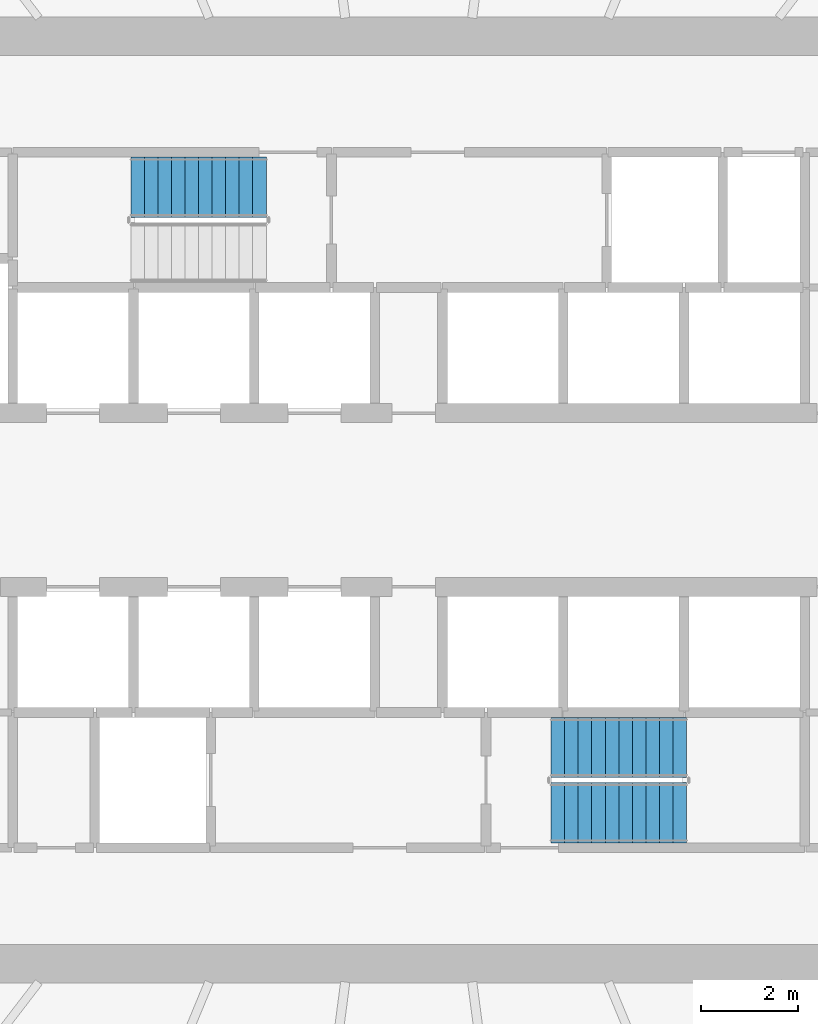
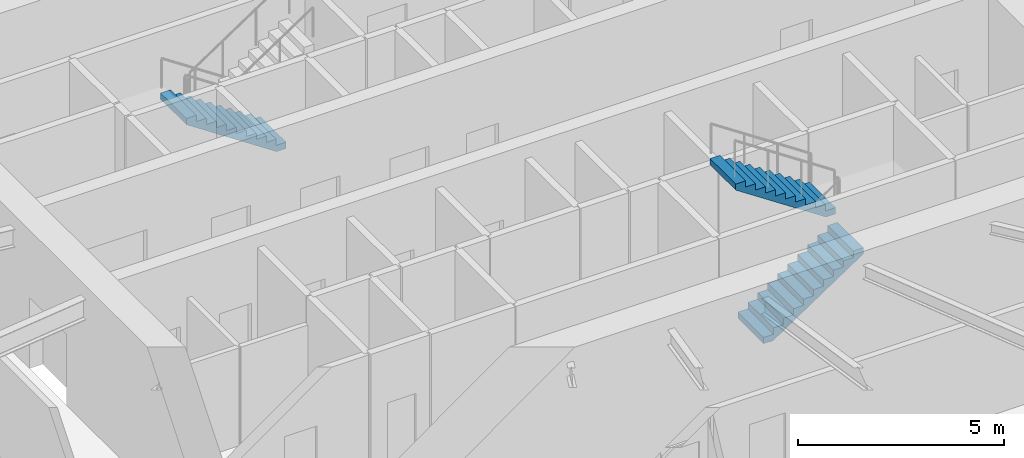
# One storey, part 18 of 21: 3 stair flights, 2 elements without a shape of their own.
"""IFC4 building model written with IfcOpenShell, lengths in metres."""

from ifc_helpers import new_model, si_unit, direction, frame, origin, place, context, subcontext, project, spatial, line, indexed_curve, outline, extrude, material, type_object, element, aggregate, save


model = new_model("IFC4")

# Units and contexts
model_context = context("Model", 3, precision=1e-05, world=origin(), true_north=direction((0.0, 1.0)))
body_context = subcontext(model_context, "Body", "Model", "MODEL_VIEW")
ifc_project = project(units=[si_unit("LENGTHUNIT", "METRE"), si_unit("AREAUNIT", "SQUARE_METRE"), si_unit("VOLUMEUNIT", "CUBIC_METRE"), si_unit("PLANEANGLEUNIT", "RADIAN"), si_unit("MASSUNIT", "GRAM", prefix="KILO")], contexts=[model_context])

# Site, building, storey
site_placement = place(None, origin())
site = spatial("IfcSite", under=ifc_project, at=site_placement, CompositionType="ELEMENT")
building_placement = place(site_placement, origin())
building = spatial("IfcBuilding", under=site, at=building_placement, Name="Spindrift Exchange Tower", CompositionType="ELEMENT")
storey_placement = place(building_placement, frame((0.0, 0.0, 83.89990234375)))
storey = spatial("IfcBuildingStorey", under=building, at=storey_placement, Name="L19", CompositionType="ELEMENT", Elevation=83.89990234375)

# Stair, stair flight
ifc_material = material(Name="Concrete 50 MPa", Category="concrete")
stair_type = type_object("IfcStairType", Name="ST-1250-R186", PredefinedType="HALF_TURN_STAIR", material=ifc_material)
stair_1_placement = place(storey_placement, origin())
stair_1 = element("IfcStair", 1, at=stair_1_placement, inside=storey, type_object=stair_type, Name="L19 Exit stair ST1", PredefinedType="HALF_TURN_STAIR")
stair_flight_type = type_object("IfcStairFlightType", Name="STF-1250-R186", PredefinedType="STRAIGHT", material=ifc_material)
stair_flight_1_placement = place(storey_placement, frame((49.050048828125, 54.47509765625, 0.0), z_axis=(0.0, 0.0, 1.0), x_axis=(-1.0, 0.0, 0.0)))
stair_flight_1 = element("IfcStairFlight", 2, at=stair_flight_1_placement, type_object=stair_flight_type, Name="ST1 flight 1", NumberOfRisers=11, NumberOfTreads=10, PredefinedType="STRAIGHT", RiserHeight=0.186363636, TreadLength=0.28, context=body_context, shape_type="SweptSolid", body=[
    extrude(outline(indexed_curve([(0.0, 0.0), (0.0, 0.1865234375), (0.2802734375, 0.1865234375), (0.2802734375, 0.373046875), (0.5595703125, 0.373046875), (0.5595703125, 0.5595703125), (0.83984375, 0.5595703125), (0.83984375, 0.7451171875), (1.1201171875, 0.7451171875), (1.1201171875, 0.931640625), (1.400390625, 0.931640625), (1.400390625, 1.1181640625), (1.6796875, 1.1181640625), (1.6796875, 1.3046875), (1.9599609375, 1.3046875), (1.9599609375, 1.4912109375), (2.240234375, 1.4912109375), (2.240234375, 1.677734375), (2.51953125, 1.677734375), (2.51953125, 1.86328125), (2.7998046875, 1.86328125), (2.7998046875, 2.0498046875), (2.7998046875, 1.68359375), (0.2705078125, 0.0)], segments=[line(1, 2, 3, 4, 5, 6, 7, 8, 9, 10, 11, 12, 13, 14, 15, 16, 17, 18, 19, 20, 21, 22, 23, 24, 1)], self_intersect=False)), frame((0.0, 0.625, 0.0), z_axis=(0.0, -1.0, 0.0), x_axis=(1.0, 0.0, 0.0)), (0.0, 0.0, 1.0), 1.25),
])
aggregate(stair_1, [stair_flight_1])

# Stair, stair flights
stair_2_placement = place(storey_placement, origin())
stair_2 = element("IfcStair", 3, at=stair_2_placement, inside=storey, type_object=stair_type, Name="L19 Exit stair ST2", PredefinedType="HALF_TURN_STAIR")
stair_flight_2_placement = place(storey_placement, frame((54.949951171875, 41.52490234375, 0.0), z_axis=(0.0, 0.0, 1.0), x_axis=(1.0, 0.0, 0.0)))
stair_flight_2 = element("IfcStairFlight", 4, at=stair_flight_2_placement, type_object=stair_flight_type, Name="ST2 flight 1", NumberOfRisers=11, NumberOfTreads=10, PredefinedType="STRAIGHT", RiserHeight=0.186363636, TreadLength=0.28, context=body_context, shape_type="SweptSolid", body=[
    extrude(outline(indexed_curve([(0.0, 0.0), (0.0, 0.1865234375), (0.2802734375, 0.1865234375), (0.2802734375, 0.373046875), (0.5595703125, 0.373046875), (0.5595703125, 0.5595703125), (0.83984375, 0.5595703125), (0.83984375, 0.7451171875), (1.1201171875, 0.7451171875), (1.1201171875, 0.931640625), (1.400390625, 0.931640625), (1.400390625, 1.1181640625), (1.6796875, 1.1181640625), (1.6796875, 1.3046875), (1.9599609375, 1.3046875), (1.9599609375, 1.4912109375), (2.240234375, 1.4912109375), (2.240234375, 1.677734375), (2.51953125, 1.677734375), (2.51953125, 1.86328125), (2.7998046875, 1.86328125), (2.7998046875, 2.0498046875), (2.7998046875, 1.68359375), (0.2705078125, 0.0)], segments=[line(1, 2, 3, 4, 5, 6, 7, 8, 9, 10, 11, 12, 13, 14, 15, 16, 17, 18, 19, 20, 21, 22, 23, 24, 1)], self_intersect=False)), frame((0.0, 0.625, 0.0), z_axis=(0.0, -1.0, 0.0), x_axis=(1.0, 0.0, 0.0)), (0.0, 0.0, 1.0), 1.25),
])
stair_flight_3_placement = place(storey_placement, frame((57.75, 42.875, 2.050048828125), z_axis=(0.0, 0.0, 1.0), x_axis=(-1.0, 0.0, 0.0)))
stair_flight_3 = element("IfcStairFlight", 5, at=stair_flight_3_placement, type_object=stair_flight_type, Name="ST2 flight 2", NumberOfRisers=11, NumberOfTreads=10, PredefinedType="STRAIGHT", RiserHeight=0.186363636, TreadLength=0.28, context=body_context, shape_type="SweptSolid", body=[
    extrude(outline(indexed_curve([(0.0, 0.0), (0.0, 0.1865234375), (0.2802734375, 0.1865234375), (0.2802734375, 0.373046875), (0.5595703125, 0.373046875), (0.5595703125, 0.5595703125), (0.83984375, 0.5595703125), (0.83984375, 0.7451171875), (1.1201171875, 0.7451171875), (1.1201171875, 0.931640625), (1.400390625, 0.931640625), (1.400390625, 1.1181640625), (1.6796875, 1.1181640625), (1.6796875, 1.3046875), (1.9599609375, 1.3046875), (1.9599609375, 1.4912109375), (2.240234375, 1.4912109375), (2.240234375, 1.677734375), (2.51953125, 1.677734375), (2.51953125, 1.86328125), (2.7998046875, 1.86328125), (2.7998046875, 2.0498046875), (2.7998046875, 1.68359375), (0.2705078125, 0.0)], segments=[line(1, 2, 3, 4, 5, 6, 7, 8, 9, 10, 11, 12, 13, 14, 15, 16, 17, 18, 19, 20, 21, 22, 23, 24, 1)], self_intersect=False)), frame((0.0, 0.625, 0.0), z_axis=(0.0, -1.0, 0.0), x_axis=(1.0, 0.0, 0.0)), (0.0, 0.0, 1.0), 1.25),
])
aggregate(stair_2, [stair_flight_2, stair_flight_3])

save(model, "model.ifc")
